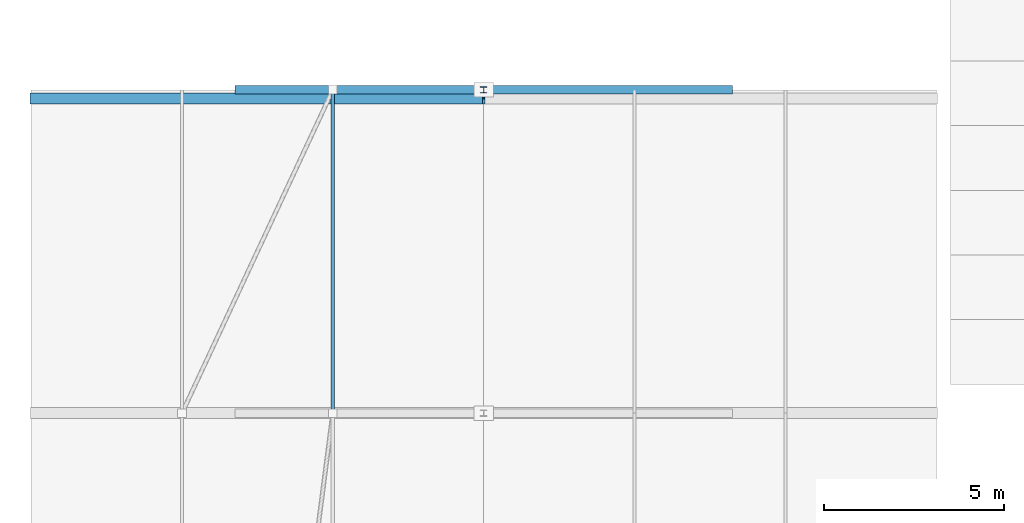
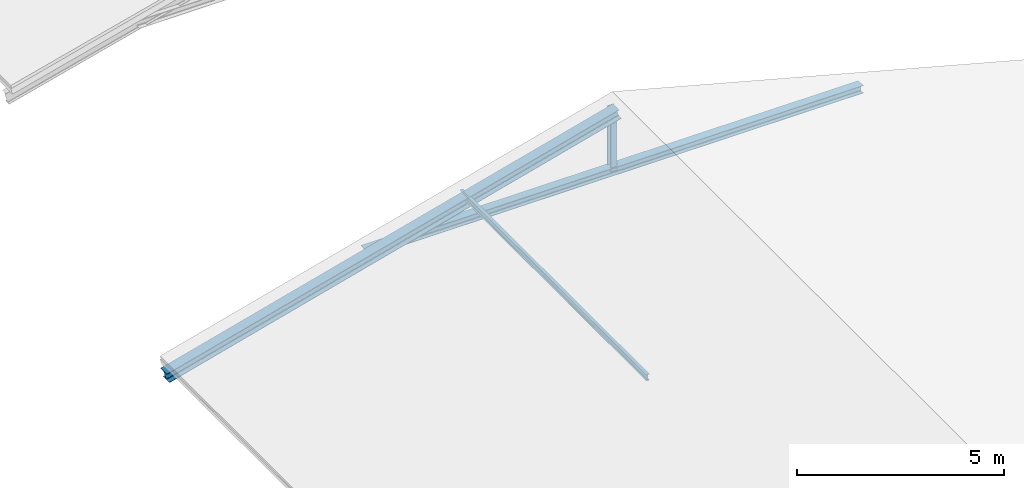
# One storey, part 5 of 31: 4 members.
"""IFC4 building model written with IfcOpenShell, lengths in metres."""

from ifc_helpers import new_model, si_unit, direction, frame, origin, origin_2d, place, context, subcontext, project, spatial, i_section, extrude, material, material_profile, profile_set, type_object, element, save


model = new_model("IFC4")

# Units and contexts
model_context = context("Model", 3, precision=1e-05, world=origin(), true_north=direction((0.0, 1.0)))
body_context = subcontext(model_context, "Body", "Model", "MODEL_VIEW")
ifc_project = project(units=[si_unit("LENGTHUNIT", "METRE"), si_unit("AREAUNIT", "SQUARE_METRE"), si_unit("VOLUMEUNIT", "CUBIC_METRE"), si_unit("PLANEANGLEUNIT", "RADIAN"), si_unit("MASSUNIT", "GRAM", prefix="KILO")], contexts=[model_context])

# Site, building, storey
site_placement = place(None, origin())
site = spatial("IfcSite", under=ifc_project, at=site_placement, CompositionType="ELEMENT")
building_placement = place(site_placement, origin())
building = spatial("IfcBuilding", under=site, at=building_placement, Name="Clarverna Civic Hall", CompositionType="ELEMENT")
storey_placement = place(building_placement, frame((0.0, 0.0, 31.199951171875)))
storey = spatial("IfcBuildingStorey", under=building, at=storey_placement, Name="RF", CompositionType="ELEMENT", Elevation=31.199951171875)

# Members
ifc_material = material(Name="Steel S355", Category="steel")
ifc_material_profile_1 = material_profile(ifc_material, i_section(OverallWidth=0.239990234375, OverallDepth=0.22998046875, WebThickness=0.007568359375, FlangeThickness=0.011962890625, FilletRadius=0.02099609375, at=origin_2d()), Name="HEA 240")
ifc_profile_set_1 = profile_set([ifc_material_profile_1], Name="Steel S355")
member_type_1 = type_object("IfcMemberType", Name="CH-03", PredefinedType="CHORD", material=ifc_profile_set_1)
member_1_placement = place(storey_placement, frame((5.669921875, 55.39990234375, -13.170654296875), z_axis=(1.0, 0.0, 0.0), x_axis=(0.0, 1.0, 0.0)))
element("IfcMember", 1, at=member_1_placement, inside=storey, type_object=member_type_1, Name="CH-03-005", PredefinedType="CHORD", context=body_context, shape_type="SweptSolid", body=[
    extrude(i_section(OverallWidth=0.239990234375, OverallDepth=0.22998046875, WebThickness=0.007568359375, FlangeThickness=0.011962890625, FilletRadius=0.02099609375, at=origin_2d()), origin(), (0.0, 0.0, 1.0), 13.860107421875),
])
ifc_material_profile_2 = material_profile(ifc_material, i_section(OverallWidth=0.179931640625, OverallDepth=0.1708984375, WebThickness=0.006103515625, FlangeThickness=0.009521484375, FilletRadius=0.014892578125, at=origin_2d()), Name="HEA 180")
ifc_profile_set_2 = profile_set([ifc_material_profile_2], Name="Steel S355")
member_type_2 = type_object("IfcMemberType", Name="CH-04", PredefinedType="CHORD", material=ifc_profile_set_2)
member_2_placement = place(storey_placement, frame((12.60009765625, 55.39990234375, -13.170654296875), z_axis=(0.0, 0.0, 1.0), x_axis=(1.0, 0.0, 0.0)))
element("IfcMember", 2, at=member_2_placement, inside=storey, type_object=member_type_2, Name="CH-04-103", PredefinedType="CHORD", context=body_context, shape_type="SweptSolid", body=[
    extrude(i_section(OverallWidth=0.179931640625, OverallDepth=0.1708984375, WebThickness=0.006103515625, FlangeThickness=0.009521484375, FilletRadius=0.014892578125, at=origin_2d()), origin(), (0.0, 0.0, 1.0), 1.85693359375),
])
ifc_material_profile_3 = material_profile(ifc_material, i_section(OverallWidth=0.091064453125, OverallDepth=0.179931640625, WebThickness=0.00537109375, FlangeThickness=0.008056640625, FilletRadius=0.009033203125, at=origin_2d()), Name="IPE 180")
ifc_profile_set_3 = profile_set([ifc_material_profile_3], Name="Steel S355")
member_type_3 = type_object("IfcMemberType", Name="PU-RF2", PredefinedType="PURLIN", material=ifc_profile_set_3)
member_3_placement = place(storey_placement, frame((8.39990234375, 46.39990234375, -12.379150390625), z_axis=(0.0, 1.0, 0.0), x_axis=(-1.0, 0.0, 0.0)))
element("IfcMember", 3, at=member_3_placement, inside=storey, type_object=member_type_3, Name="PU-RF2-008", PredefinedType="PURLIN", context=body_context, shape_type="SweptSolid", body=[
    extrude(i_section(OverallWidth=0.091064453125, OverallDepth=0.179931640625, WebThickness=0.00537109375, FlangeThickness=0.008056640625, FilletRadius=0.009033203125, at=origin_2d()), origin(), (0.0, 0.0, 1.0), 9.0),
])
ifc_material_profile_4 = material_profile(ifc_material, i_section(OverallWidth=0.300048828125, OverallDepth=0.2900390625, WebThickness=0.008544921875, FlangeThickness=0.013916015625, FilletRadius=0.027099609375, at=origin_2d()), Name="HEA 300")
ifc_profile_set_4 = profile_set([ifc_material_profile_4], Name="Steel S355")
member_type_4 = type_object("IfcMemberType", Name="RF-03", PredefinedType="RAFTER", material=ifc_profile_set_4)
member_4_placement = place(storey_placement, frame((0.0, 55.159912109375, -14.68994140625), z_axis=(0.965925161037, 0.0, 0.258821527843), x_axis=(0.0, 1.0, 0.0)))
element("IfcMember", 4, at=member_4_placement, inside=storey, type_object=member_type_4, Name="RF-03-009", PredefinedType="RAFTER", context=body_context, shape_type="SweptSolid", body=[
    extrude(i_section(OverallWidth=0.300048828125, OverallDepth=0.2900390625, WebThickness=0.008544921875, FlangeThickness=0.013916015625, FilletRadius=0.027099609375, at=origin_2d()), origin(), (0.0, 0.0, 1.0), 13.044677734375),
])

save(model, "model.ifc")
